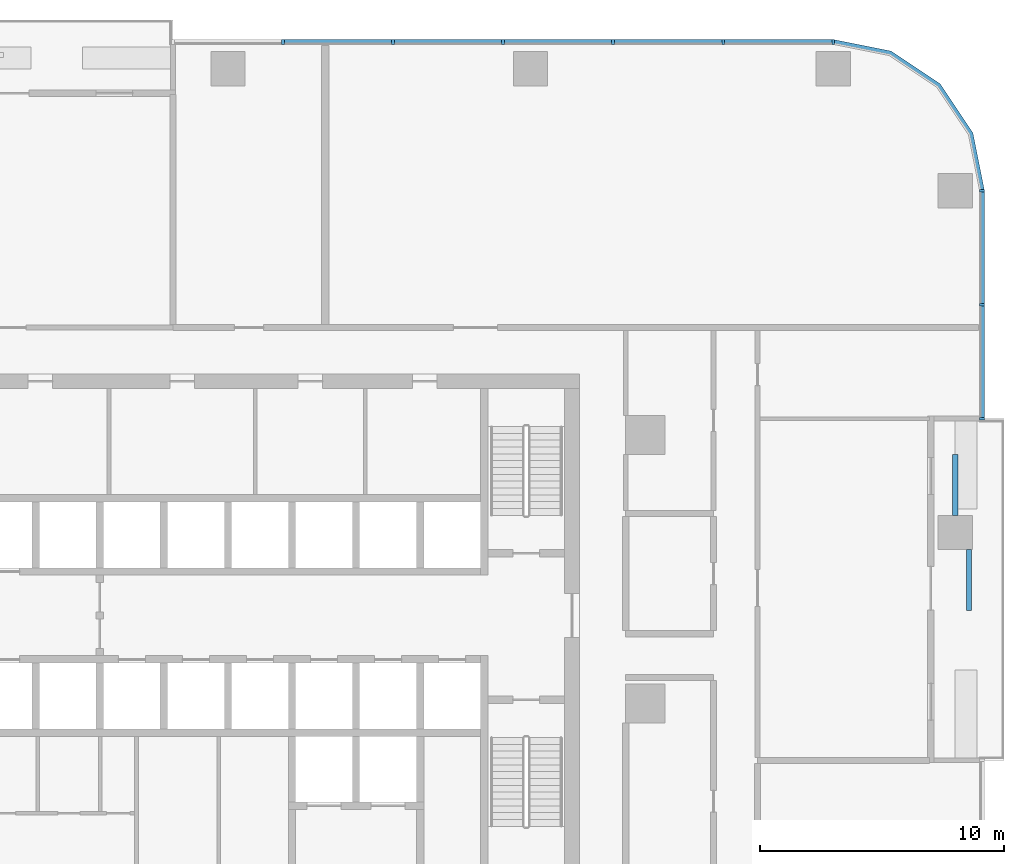
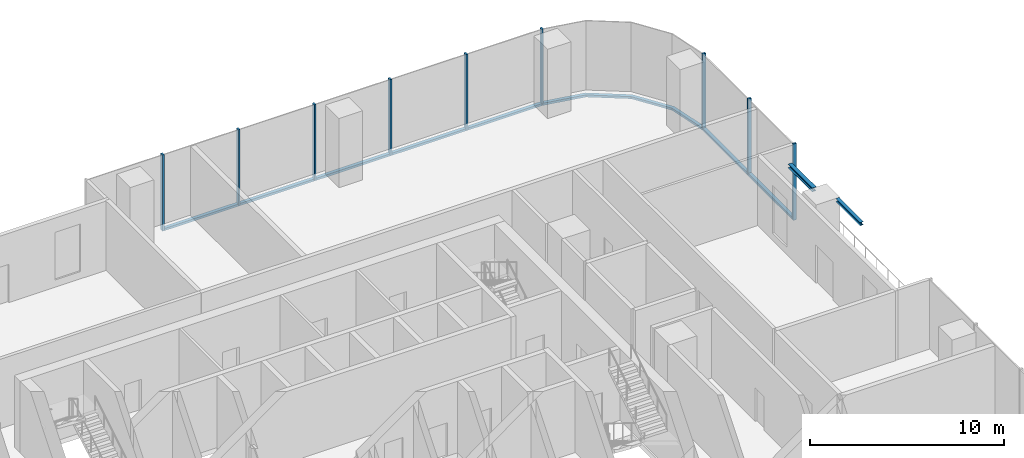
# One storey, part 5 of 15: 17 members, 2 beams, 3 elements without a shape of their own.
"""IFC4 building model written with IfcOpenShell, lengths in metres."""

from ifc_helpers import new_model, si_unit, direction, frame, origin, origin_2d, place, context, subcontext, project, spatial, polyline, rectangle, i_section, outline, extrude, material, material_profile, profile_set, type_object, element, aggregate, save


model = new_model("IFC4")

# Units and contexts
model_context = context("Model", 3, precision=1e-05, world=origin(), true_north=direction((0.0, 1.0)))
body_context = subcontext(model_context, "Body", "Model", "MODEL_VIEW")
ifc_project = project(units=[si_unit("LENGTHUNIT", "METRE"), si_unit("AREAUNIT", "SQUARE_METRE"), si_unit("VOLUMEUNIT", "CUBIC_METRE"), si_unit("PLANEANGLEUNIT", "RADIAN"), si_unit("MASSUNIT", "GRAM", prefix="KILO")], contexts=[model_context])

# Site, building, storey
site_placement = place(None, origin())
site = spatial("IfcSite", under=ifc_project, at=site_placement, CompositionType="ELEMENT")
building_placement = place(site_placement, origin())
building = spatial("IfcBuilding", under=site, at=building_placement, Name="Mopane Tessera Tower", CompositionType="ELEMENT")
storey_placement = place(building_placement, frame((0.0, 0.0, 79.0)))
storey = spatial("IfcBuildingStorey", under=building, at=storey_placement, Name="L15", CompositionType="ELEMENT", Elevation=79.0)

# Curtain wall, members
ifc_material_1 = material(Name="Aluminium frame", Category="aluminium")
curtain_wall_type = type_object("IfcCurtainWallType", Name="Lower tower unitised wall", PredefinedType="NOTDEFINED", material=ifc_material_1)
curtain_wall_1_placement = place(storey_placement, origin())
curtain_wall_1 = element("IfcCurtainWall", 1, at=curtain_wall_1_placement, inside=storey, type_object=curtain_wall_type, Name="e:cw:L15:E:7", PredefinedType="NOTDEFINED")
ifc_material_2 = material(Name="Aluminium frame", Category="aluminium")
ifc_material_profile_1 = material_profile(ifc_material_2, rectangle(XDim=0.110107421875, YDim=0.199951171875, at=origin_2d()))
ifc_profile_set_1 = profile_set([ifc_material_profile_1], Name="Aluminium frame")
member_type_1 = type_object("IfcMemberType", Name="Aluminium mullion 110 x 200", PredefinedType="MULLION", material=ifc_profile_set_1)
member_1_placement = place(storey_placement, frame((30.89990234375, 11.666748046875, -0.449951171875), z_axis=(0.0, 0.0, 1.0), x_axis=(0.0, 1.0, 0.0)))
member_1 = element("IfcMember", 2, at=member_1_placement, type_object=member_type_1, Name="e:cw:L15:E:7:mu7", PredefinedType="MULLION", context=body_context, shape_type="SweptSolid", body=[
    extrude(rectangle(XDim=0.110107421875, YDim=0.199951171875, at=origin_2d()), origin(), (0.0, 0.0, 1.0), 4.800048828125),
])
member_2_placement = place(storey_placement, frame((30.89990234375, 16.333251953125, -0.449951171875), z_axis=(0.0, 0.0, 1.0), x_axis=(0.0, 1.0, 0.0)))
member_2 = element("IfcMember", 3, at=member_2_placement, type_object=member_type_1, Name="e:cw:L15:E:7:mu8", PredefinedType="MULLION", context=body_context, shape_type="SweptSolid", body=[
    extrude(rectangle(XDim=0.110107421875, YDim=0.199951171875, at=origin_2d()), origin(), (0.0, 0.0, 1.0), 4.800048828125),
])
member_3_placement = place(storey_placement, frame((30.89990234375, 21.0, -0.449951171875), z_axis=(0.0, 0.0, 1.0), x_axis=(0.0, 1.0, 0.0)))
member_3 = element("IfcMember", 4, at=member_3_placement, type_object=member_type_1, Name="e:cw:L15:E:7:mu9", PredefinedType="MULLION", context=body_context, shape_type="SweptSolid", body=[
    extrude(rectangle(XDim=0.110107421875, YDim=0.199951171875, at=origin_2d()), origin(), (0.0, 0.0, 1.0), 4.800048828125),
])

curtain_wall_2_placement = place(storey_placement, origin())
curtain_wall_2 = element("IfcCurtainWall", 5, at=curtain_wall_2_placement, inside=storey, type_object=curtain_wall_type, Name="e:cw:L15:N:0", PredefinedType="NOTDEFINED")
member_4_placement = place(storey_placement, frame((24.800048828125, 27.10009765625, -0.449951171875), z_axis=(0.0, 0.0, 1.0), x_axis=(-1.0, 0.0, 0.0)))
member_4 = element("IfcMember", 6, at=member_4_placement, type_object=member_type_1, Name="e:cw:L15:N:0:mu0", PredefinedType="MULLION", context=body_context, shape_type="SweptSolid", body=[
    extrude(rectangle(XDim=0.110107421875, YDim=0.199951171875, at=origin_2d()), origin(), (0.0, 0.0, 1.0), 4.800048828125),
])
member_5_placement = place(storey_placement, frame((20.291015625, 27.10009765625, -0.449951171875), z_axis=(0.0, 0.0, 1.0), x_axis=(-1.0, 0.0, 0.0)))
member_5 = element("IfcMember", 7, at=member_5_placement, type_object=member_type_1, Name="e:cw:L15:N:0:mu1", PredefinedType="MULLION", context=body_context, shape_type="SweptSolid", body=[
    extrude(rectangle(XDim=0.110107421875, YDim=0.199951171875, at=origin_2d()), origin(), (0.0, 0.0, 1.0), 4.800048828125),
])
member_6_placement = place(storey_placement, frame((15.78173828125, 27.10009765625, -0.449951171875), z_axis=(0.0, 0.0, 1.0), x_axis=(-1.0, 0.0, 0.0)))
member_6 = element("IfcMember", 8, at=member_6_placement, type_object=member_type_1, Name="e:cw:L15:N:0:mu2", PredefinedType="MULLION", context=body_context, shape_type="SweptSolid", body=[
    extrude(rectangle(XDim=0.110107421875, YDim=0.199951171875, at=origin_2d()), origin(), (0.0, 0.0, 1.0), 4.800048828125),
])
member_7_placement = place(storey_placement, frame((11.272705078125, 27.10009765625, -0.449951171875), z_axis=(0.0, 0.0, 1.0), x_axis=(-1.0, 0.0, 0.0)))
member_7 = element("IfcMember", 9, at=member_7_placement, type_object=member_type_1, Name="e:cw:L15:N:0:mu3", PredefinedType="MULLION", context=body_context, shape_type="SweptSolid", body=[
    extrude(rectangle(XDim=0.110107421875, YDim=0.199951171875, at=origin_2d()), origin(), (0.0, 0.0, 1.0), 4.800048828125),
])
member_8_placement = place(storey_placement, frame((6.763671875, 27.10009765625, -0.449951171875), z_axis=(0.0, 0.0, 1.0), x_axis=(-1.0, 0.0, 0.0)))
member_8 = element("IfcMember", 10, at=member_8_placement, type_object=member_type_1, Name="e:cw:L15:N:0:mu4", PredefinedType="MULLION", context=body_context, shape_type="SweptSolid", body=[
    extrude(rectangle(XDim=0.110107421875, YDim=0.199951171875, at=origin_2d()), origin(), (0.0, 0.0, 1.0), 4.800048828125),
])
member_9_placement = place(storey_placement, frame((2.254638671875, 27.10009765625, -0.449951171875), z_axis=(0.0, 0.0, 1.0), x_axis=(-1.0, 0.0, 0.0)))
member_9 = element("IfcMember", 11, at=member_9_placement, type_object=member_type_1, Name="e:cw:L15:N:0:mu5", PredefinedType="MULLION", context=body_context, shape_type="SweptSolid", body=[
    extrude(rectangle(XDim=0.110107421875, YDim=0.199951171875, at=origin_2d()), origin(), (0.0, 0.0, 1.0), 4.800048828125),
])

# Member
ifc_material_3 = material(Name="Aluminium frame", Category="aluminium")
ifc_material_profile_2 = material_profile(ifc_material_3, rectangle(XDim=0.199951171875, YDim=0.139892578125, at=origin_2d()))
ifc_profile_set_2 = profile_set([ifc_material_profile_2], Name="Aluminium frame")
member_type_2 = type_object("IfcMemberType", Name="Aluminium transom 200 x 140", PredefinedType="USERDEFINED", material=ifc_profile_set_2)
member_10_placement = place(storey_placement, frame((30.89990234375, 11.7216796875, -0.3798828125), z_axis=(0.0, 1.0, 0.0), x_axis=(-1.0, 0.0, 0.0)))
member_10 = element("IfcMember", 12, at=member_10_placement, type_object=member_type_2, Name="e:cw:L15:E:7:tr7", ObjectType="TRANSOM", PredefinedType="USERDEFINED", context=body_context, shape_type="SweptSolid", body=[
    extrude(rectangle(XDim=0.199951171875, YDim=0.139892578125, at=origin_2d()), origin(), (0.0, 0.0, 1.0), 4.556640625),
])

member_11_placement = place(storey_placement, frame((30.89990234375, 16.388427734375, -0.3798828125), z_axis=(0.0, 1.0, 0.0), x_axis=(-1.0, 0.0, 0.0)))
member_11 = element("IfcMember", 13, at=member_11_placement, type_object=member_type_2, Name="e:cw:L15:E:7:tr8", ObjectType="TRANSOM", PredefinedType="USERDEFINED", context=body_context, shape_type="SweptSolid", body=[
    extrude(rectangle(XDim=0.199951171875, YDim=0.139892578125, at=origin_2d()), origin(), (0.0, 0.0, 1.0), 4.556640625),
])

aggregate(curtain_wall_1, [member_1, member_2, member_3, member_10, member_11])

# Curtain wall, member
curtain_wall_3_placement = place(storey_placement, origin())
curtain_wall_3 = element("IfcCurtainWall", 14, at=curtain_wall_3_placement, inside=storey, type_object=curtain_wall_type, Name="e:cw:L15:CE", PredefinedType="NOTDEFINED")
member_12_placement = place(storey_placement, frame((0.0, 0.0, -0.449951171875)))
member_12 = element("IfcMember", 15, at=member_12_placement, type_object=member_type_2, Name="e:cw:L15:CE:tr", ObjectType="TRANSOM", PredefinedType="USERDEFINED", context=body_context, shape_type="SweptSolid", body=[
    extrude(outline(polyline([(30.800048828125, 21.0), (30.34326171875, 23.296142578125), (29.042724609375, 25.24267578125), (27.09619140625, 26.543212890625), (24.800048828125, 27.0), (24.800048828125, 27.199951171875), (27.172607421875, 26.72802734375), (29.18408203125, 25.384033203125), (30.528076171875, 23.37255859375), (31.0, 21.0), (30.800048828125, 21.0)])), origin(), (0.0, 0.0, 1.0), 0.139892578125),
])
aggregate(curtain_wall_3, [member_12])

# Member
member_13_placement = place(storey_placement, frame((24.7451171875, 27.10009765625, -0.3798828125), z_axis=(-1.0, 0.0, 0.0), x_axis=(0.0, -1.0, 0.0)))
member_13 = element("IfcMember", 16, at=member_13_placement, type_object=member_type_2, Name="e:cw:L15:N:0:tr0", ObjectType="TRANSOM", PredefinedType="USERDEFINED", context=body_context, shape_type="SweptSolid", body=[
    extrude(rectangle(XDim=0.199951171875, YDim=0.139892578125, at=origin_2d()), origin(), (0.0, 0.0, 1.0), 4.399169921875),
])

member_14_placement = place(storey_placement, frame((20.23583984375, 27.10009765625, -0.3798828125), z_axis=(-1.0, 0.0, 0.0), x_axis=(0.0, -1.0, 0.0)))
member_14 = element("IfcMember", 17, at=member_14_placement, type_object=member_type_2, Name="e:cw:L15:N:0:tr1", ObjectType="TRANSOM", PredefinedType="USERDEFINED", context=body_context, shape_type="SweptSolid", body=[
    extrude(rectangle(XDim=0.199951171875, YDim=0.139892578125, at=origin_2d()), origin(), (0.0, 0.0, 1.0), 4.39892578125),
])

member_15_placement = place(storey_placement, frame((15.726806640625, 27.10009765625, -0.3798828125), z_axis=(-1.0, 0.0, 0.0), x_axis=(0.0, -1.0, 0.0)))
member_15 = element("IfcMember", 18, at=member_15_placement, type_object=member_type_2, Name="e:cw:L15:N:0:tr2", ObjectType="TRANSOM", PredefinedType="USERDEFINED", context=body_context, shape_type="SweptSolid", body=[
    extrude(rectangle(XDim=0.199951171875, YDim=0.139892578125, at=origin_2d()), origin(), (0.0, 0.0, 1.0), 4.399169921875),
])

member_16_placement = place(storey_placement, frame((11.2177734375, 27.10009765625, -0.3798828125), z_axis=(-1.0, 0.0, 0.0), x_axis=(0.0, -1.0, 0.0)))
member_16 = element("IfcMember", 19, at=member_16_placement, type_object=member_type_2, Name="e:cw:L15:N:0:tr3", ObjectType="TRANSOM", PredefinedType="USERDEFINED", context=body_context, shape_type="SweptSolid", body=[
    extrude(rectangle(XDim=0.199951171875, YDim=0.139892578125, at=origin_2d()), origin(), (0.0, 0.0, 1.0), 4.399169921875),
])

member_17_placement = place(storey_placement, frame((6.708740234375, 27.10009765625, -0.3798828125), z_axis=(-1.0, 0.0, 0.0), x_axis=(0.0, -1.0, 0.0)))
member_17 = element("IfcMember", 20, at=member_17_placement, type_object=member_type_2, Name="e:cw:L15:N:0:tr4", ObjectType="TRANSOM", PredefinedType="USERDEFINED", context=body_context, shape_type="SweptSolid", body=[
    extrude(rectangle(XDim=0.199951171875, YDim=0.139892578125, at=origin_2d()), origin(), (0.0, 0.0, 1.0), 4.399169921875),
])

aggregate(curtain_wall_2, [member_4, member_5, member_6, member_7, member_8, member_9, member_13, member_14, member_15, member_16, member_17])

# Beams
ifc_material_4 = material(Name="Structural steel S460", Category="steel")
ifc_material_profile_3 = material_profile(ifc_material_4, i_section(OverallWidth=0.239990234375, OverallDepth=0.239990234375, WebThickness=0.010009765625, FlangeThickness=0.01708984375, FilletRadius=0.02099609375, at=origin_2d()))
ifc_profile_set_3 = profile_set([ifc_material_profile_3], Name="Structural steel S460")
beam_type_1 = type_object("IfcBeamType", Name="Terrace spandrel beam HE 240 B", PredefinedType="SPANDREL", material=ifc_profile_set_3)
beam_1_placement = place(storey_placement, frame((29.800048828125, 7.702880859375, 4.22998046875), z_axis=(0.0, 1.0, 0.0), x_axis=(-1.0, 0.0, 0.0)))
element("IfcBeam", 21, at=beam_1_placement, inside=storey, type_object=beam_type_1, Name="Terrace spandrel beam N1 L16", PredefinedType="SPANDREL", context=body_context, shape_type="SweptSolid", body=[
    extrude(i_section(OverallWidth=0.239990234375, OverallDepth=0.239990234375, WebThickness=0.010009765625, FlangeThickness=0.01708984375, FilletRadius=0.02099609375, at=origin_2d()), origin(), (0.0, 0.0, 1.0), 2.5),
])
ifc_material_5 = material(Name="Structural steel S460", Category="steel")
ifc_material_profile_4 = material_profile(ifc_material_5, i_section(OverallWidth=0.199951171875, OverallDepth=0.199951171875, WebThickness=0.009033203125, FlangeThickness=0.014892578125, FilletRadius=0.01806640625, at=origin_2d()))
ifc_profile_set_4 = profile_set([ifc_material_profile_4], Name="Structural steel S460")
beam_type_2 = type_object("IfcBeamType", Name="Terrace trimmer beam HE 200 B", PredefinedType="BEAM", material=ifc_profile_set_4)
beam_2_placement = place(storey_placement, frame((30.360107421875, 6.297119140625, 4.25), z_axis=(0.0, -1.0, 0.0), x_axis=(1.0, 0.0, 0.0)))
element("IfcBeam", 22, at=beam_2_placement, inside=storey, type_object=beam_type_2, Name="Terrace trimmer beam N1 L16", PredefinedType="BEAM", context=body_context, shape_type="SweptSolid", body=[
    extrude(i_section(OverallWidth=0.199951171875, OverallDepth=0.199951171875, WebThickness=0.009033203125, FlangeThickness=0.014892578125, FilletRadius=0.01806640625, at=origin_2d()), origin(), (0.0, 0.0, 1.0), 2.5),
])

save(model, "model.ifc")
